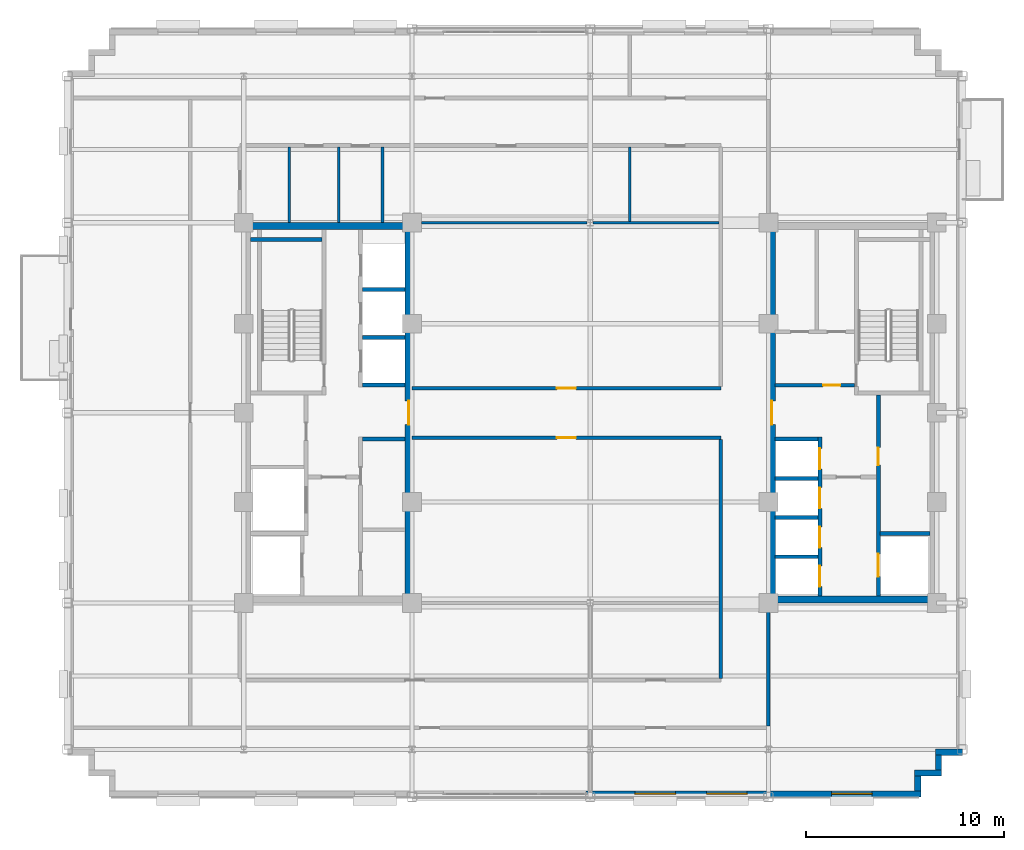
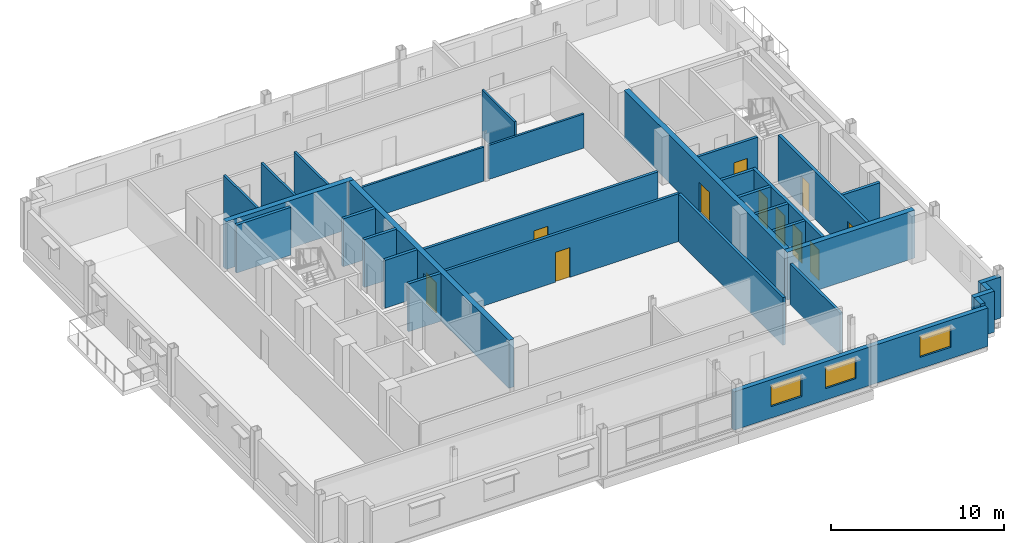
# One storey, part 7 of 15: 32 walls, 11 doors, 3 windows, 14 openings.
"""IFC4 building model written with IfcOpenShell, lengths in metres."""

from ifc_helpers import new_model, si_unit, direction, frame, frame_2d, origin, place, context, subcontext, project, spatial, rectangle, extrude, source, transform, mapped, material, layer, layer_set, type_object, type_shapes, element, fill, save


model = new_model("IFC4")

# Units and contexts
model_context = context("Model", 3, precision=1e-05, world=origin(), true_north=direction((0.0, 1.0)))
body_context = subcontext(model_context, "Body", "Model", "MODEL_VIEW")
ifc_project = project(units=[si_unit("LENGTHUNIT", "METRE"), si_unit("AREAUNIT", "SQUARE_METRE"), si_unit("VOLUMEUNIT", "CUBIC_METRE"), si_unit("PLANEANGLEUNIT", "RADIAN"), si_unit("MASSUNIT", "GRAM", prefix="KILO")], contexts=[model_context])

# Site, building, storey
site_placement = place(None, origin())
site = spatial("IfcSite", under=ifc_project, at=site_placement, CompositionType="ELEMENT")
building_placement = place(site_placement, origin())
building = spatial("IfcBuilding", under=site, at=building_placement, Name="Nuvemarco Arch Tower", CompositionType="ELEMENT")
storey_placement = place(building_placement, frame((0.0, 0.0, 223.75)))
storey = spatial("IfcBuildingStorey", under=building, at=storey_placement, Name="L59", CompositionType="ELEMENT", Elevation=223.75)

# Wall, openings, windows
ifc_material_1 = material(Name="Precast concrete C45/55", Category="concrete")
ifc_layer_1 = layer(ifc_material_1, 0.31005859375, Name="EW-UPP-310")
ifc_layer_set_1 = layer_set([ifc_layer_1], Name="Precast concrete C45/55")
wall_type_1 = type_object("IfcWallType", Name="EW-UPP-310", PredefinedType="STANDARD", material=ifc_layer_set_1)
wall_1_placement = place(storey_placement, frame((-0.199951171875, -19.2451171875, 0.0), z_axis=(0.0, 0.0, 1.0), x_axis=(1.0, 0.0, 0.0)))
wall_1 = element("IfcWall", 1, at=wall_1_placement, inside=storey, type_object=wall_type_1, Name="L59 exterior precast pier wall south right", PredefinedType="STANDARD", context=body_context, shape_type="SweptSolid", body=[
    extrude(rectangle(XDim=16.89990234375, YDim=0.31005859375, at=frame_2d((8.449951171875, 0.0))), origin(), (0.0, 0.0, 1.0), 2.705078125),
])
opening_1_placement = place(wall_1_placement, frame((2.458251953125, 0.0, 0.800048828125)))
opening_1 = element("IfcOpeningElement", 2, at=opening_1_placement, cuts=wall_1, Name="Opening WN-12", PredefinedType="OPENING", context=body_context, shape_type="SweptSolid", body=[
    extrude(rectangle(XDim=2.050048828125, YDim=1.52001953125, at=frame_2d((1.02490234375, 0.760009765625))), frame((0.0, 0.1650390625, 0.0), z_axis=(0.0, -1.0, 0.0), x_axis=(1.0, 0.0, 0.0)), (0.0, 0.0, 1.0), 0.330078125),
])
opening_2_placement = place(wall_1_placement, frame((6.074951171875, 0.0, 0.800048828125)))
opening_2 = element("IfcOpeningElement", 3, at=opening_2_placement, cuts=wall_1, Name="Opening WN-12", PredefinedType="OPENING", context=body_context, shape_type="SweptSolid", body=[
    extrude(rectangle(XDim=2.050048828125, YDim=1.52001953125, at=frame_2d((1.02490234375, 0.760009765625))), frame((0.0, 0.1650390625, 0.0), z_axis=(0.0, -1.0, 0.0), x_axis=(1.0, 0.0, 0.0)), (0.0, 0.0, 1.0), 0.330078125),
])
opening_3_placement = place(wall_1_placement, frame((12.3916015625, 0.0, 0.800048828125)))
opening_3 = element("IfcOpeningElement", 4, at=opening_3_placement, cuts=wall_1, Name="Opening WN-12", PredefinedType="OPENING", context=body_context, shape_type="SweptSolid", body=[
    extrude(rectangle(XDim=2.050048828125, YDim=1.52001953125, at=frame_2d((1.02490234375, 0.760009765625))), frame((0.0, 0.1650390625, 0.0), z_axis=(0.0, -1.0, 0.0), x_axis=(1.0, 0.0, 0.0)), (0.0, 0.0, 1.0), 0.330078125),
])
ifc_material_2 = material(Name="Insulated solar-control glass", Category="glass")
window_type = type_object("IfcWindowType", Name="WN-SET-2050x1520", PartitioningType="DOUBLE_PANEL_VERTICAL", PredefinedType="WINDOW", material=ifc_material_2)
shared_shape_1 = source(origin(), body_context, "Body", "SweptSolid", [
    extrude(rectangle(XDim=2.050048828125, YDim=1.52001953125, at=frame_2d((1.02490234375, 0.760009765625))), frame((0.0, 0.030029296875, 0.0), z_axis=(0.0, -1.0, 0.0), x_axis=(1.0, 0.0, 0.0)), (0.0, 0.0, 1.0), 0.06005859375),
])
type_shapes(window_type, [shared_shape_1])
window_1_placement = place(opening_1_placement, origin())
window_1 = element("IfcWindow", 5, at=window_1_placement, inside=storey, type_object=window_type, Name="L59 punched facade window 1", OverallHeight=1.52001953125, OverallWidth=2.050048828125, PartitioningType="SINGLE_PANEL", PredefinedType="WINDOW", context=body_context, shape_type="MappedRepresentation", body=[
    mapped(shared_shape_1, transform((0.0, 0.0, 0.0), scale=1.0)),
])
fill(opening_1, window_1)
window_2_placement = place(opening_2_placement, origin())
window_2 = element("IfcWindow", 6, at=window_2_placement, inside=storey, type_object=window_type, Name="L59 punched facade window 2", OverallHeight=1.52001953125, OverallWidth=2.050048828125, PartitioningType="SINGLE_PANEL", PredefinedType="WINDOW", context=body_context, shape_type="MappedRepresentation", body=[
    mapped(shared_shape_1, transform((0.0, 0.0, 0.0), scale=1.0)),
])
fill(opening_2, window_2)
window_3_placement = place(opening_3_placement, origin())
window_3 = element("IfcWindow", 7, at=window_3_placement, inside=storey, type_object=window_type, Name="L59 punched facade window 3", OverallHeight=1.52001953125, OverallWidth=2.050048828125, PartitioningType="SINGLE_PANEL", PredefinedType="WINDOW", context=body_context, shape_type="MappedRepresentation", body=[
    mapped(shared_shape_1, transform((0.0, 0.0, 0.0), scale=1.0)),
])
fill(opening_3, window_3)

# Walls
wall_2_placement = place(storey_placement, frame((16.544921875, -19.093994140625, 0.0), z_axis=(0.0, 0.0, 1.0), x_axis=(0.0, 1.0, 0.0)))
element("IfcWall", 8, at=wall_2_placement, inside=storey, type_object=wall_type_1, Name="L59 exterior precast facade wall 2", PredefinedType="STANDARD", context=body_context, shape_type="SweptSolid", body=[
    extrude(rectangle(XDim=0.748046875, YDim=0.31005859375, at=frame_2d((0.3740234375, 0.0))), origin(), (0.0, 0.0, 1.0), 2.89208984375),
])
wall_3_placement = place(storey_placement, frame((16.389892578125, -18.195068359375, 0.0), z_axis=(0.0, 0.0, 1.0), x_axis=(1.0, 0.0, 0.0)))
element("IfcWall", 9, at=wall_3_placement, inside=storey, type_object=wall_type_1, Name="L59 exterior precast facade wall 3", PredefinedType="STANDARD", context=body_context, shape_type="SweptSolid", body=[
    extrude(rectangle(XDim=1.360107421875, YDim=0.31005859375, at=frame_2d((0.68017578125, 0.0))), origin(), (0.0, 0.0, 1.0), 2.89208984375),
])
wall_4_placement = place(storey_placement, frame((17.594970703125, -18.0439453125, 0.0), z_axis=(0.0, 0.0, 1.0), x_axis=(0.0, 1.0, 0.0)))
element("IfcWall", 10, at=wall_4_placement, inside=storey, type_object=wall_type_1, Name="L59 exterior precast facade wall 4", PredefinedType="STANDARD", context=body_context, shape_type="SweptSolid", body=[
    extrude(rectangle(XDim=0.748046875, YDim=0.31005859375, at=frame_2d((0.3740234375, 0.0))), origin(), (0.0, 0.0, 1.0), 2.89208984375),
])
wall_5_placement = place(storey_placement, frame((17.43994140625, -17.14501953125, 0.0), z_axis=(0.0, 0.0, 1.0), x_axis=(1.0, 0.0, 0.0)))
element("IfcWall", 11, at=wall_5_placement, inside=storey, type_object=wall_type_1, Name="L59 exterior precast facade wall 5", PredefinedType="STANDARD", context=body_context, shape_type="SweptSolid", body=[
    extrude(rectangle(XDim=1.360107421875, YDim=0.31005859375, at=frame_2d((0.68017578125, 0.0))), origin(), (0.0, 0.0, 1.0), 2.89208984375),
])
ifc_material_3 = material(Name="Concrete C50/60", Category="concrete")
ifc_layer_2 = layer(ifc_material_3, 0.35009765625, Name="WL-CORE-350")
ifc_layer_set_2 = layer_set([ifc_layer_2], Name="Concrete C50/60")
wall_type_2 = type_object("IfcWallType", Name="WL-CORE-350", PredefinedType="SHEAR", material=ifc_layer_set_2)
wall_6_placement = place(storey_placement, frame((-17.5, 9.425048828125, 0.0), z_axis=(0.0, 0.0, 1.0), x_axis=(1.0, 0.0, 0.0)))
element("IfcWall", 12, at=wall_6_placement, inside=storey, type_object=wall_type_2, Name="L59 W-core shear wall N", PredefinedType="SHEAR", context=body_context, shape_type="SweptSolid", body=[
    extrude(rectangle(XDim=8.5, YDim=0.35009765625, at=frame_2d((4.25, 0.0))), origin(), (0.0, 0.0, 1.0), 3.3701171875),
])

# Wall, opening, door
wall_7_placement = place(storey_placement, frame((-9.175048828125, -9.2548828125, 0.0), z_axis=(0.0, 0.0, 1.0), x_axis=(0.0, 1.0, 0.0)))
wall_7 = element("IfcWall", 13, at=wall_7_placement, inside=storey, type_object=wall_type_2, Name="L59 W-core shear wall E", PredefinedType="SHEAR", context=body_context, shape_type="SweptSolid", body=[
    extrude(rectangle(XDim=18.509765625, YDim=0.35009765625, at=frame_2d((9.2548828125, 0.0))), origin(), (0.0, 0.0, 1.0), 3.3701171875),
])
opening_4_placement = place(wall_7_placement, frame((8.655029296875, 0.0, 0.0)))
opening_4 = element("IfcOpeningElement", 14, at=opening_4_placement, cuts=wall_7, Name="Opening FD-2", PredefinedType="OPENING", context=body_context, shape_type="SweptSolid", body=[
    extrude(rectangle(XDim=1.199951171875, YDim=2.14990234375, at=frame_2d((0.60009765625, 1.074951171875))), frame((0.0, 0.18505859375, 0.0), z_axis=(0.0, -1.0, 0.0), x_axis=(1.0, 0.0, 0.0)), (0.0, 0.0, 1.0), 0.3701171875),
])
ifc_material_4 = material(Name="Anodised steel fire door", Category="steel")
door_type_1 = type_object("IfcDoorType", Name="DR-FFLOB-FD", OperationType="NOTDEFINED", PredefinedType="DOOR", material=ifc_material_4)
shared_shape_2 = source(origin(), body_context, "Body", "SweptSolid", [
    extrude(rectangle(XDim=1.199951171875, YDim=2.14990234375, at=frame_2d((0.60009765625, 1.074951171875))), frame((0.0, 0.02490234375, 0.0), z_axis=(0.0, -1.0, 0.0), x_axis=(1.0, 0.0, 0.0)), (0.0, 0.0, 1.0), 0.050048828125),
])
type_shapes(door_type_1, [shared_shape_2])
door_1_placement = place(opening_4_placement, origin())
door_1 = element("IfcDoor", 15, at=door_1_placement, inside=storey, type_object=door_type_1, Name="L59 door FD-L59-WCORE-E", OperationType="SINGLE_SWING_RIGHT", OverallHeight=2.14990234375, OverallWidth=1.199951171875, PredefinedType="DOOR", context=body_context, shape_type="MappedRepresentation", body=[
    mapped(shared_shape_2, transform((0.0, 0.0, 0.0), scale=1.0)),
])
fill(opening_4, door_1)

# Wall
wall_8_placement = place(storey_placement, frame((9.0, -9.425048828125, 0.0), z_axis=(0.0, 0.0, 1.0), x_axis=(1.0, 0.0, 0.0)))
element("IfcWall", 16, at=wall_8_placement, inside=storey, type_object=wall_type_2, Name="L59 E-core shear wall S", PredefinedType="SHEAR", context=body_context, shape_type="SweptSolid", body=[
    extrude(rectangle(XDim=8.5, YDim=0.35009765625, at=frame_2d((4.25, 0.0))), origin(), (0.0, 0.0, 1.0), 3.3701171875),
])

# Wall, opening, door
wall_9_placement = place(storey_placement, frame((9.175048828125, -9.2548828125, 0.0), z_axis=(0.0, 0.0, 1.0), x_axis=(0.0, 1.0, 0.0)))
wall_9 = element("IfcWall", 17, at=wall_9_placement, inside=storey, type_object=wall_type_2, Name="L59 E-core shear wall W", PredefinedType="SHEAR", context=body_context, shape_type="SweptSolid", body=[
    extrude(rectangle(XDim=18.509765625, YDim=0.35009765625, at=frame_2d((9.2548828125, 0.0))), origin(), (0.0, 0.0, 1.0), 3.3701171875),
])
opening_5_placement = place(wall_9_placement, frame((8.655029296875, 0.0, 0.0)))
opening_5 = element("IfcOpeningElement", 18, at=opening_5_placement, cuts=wall_9, Name="Opening FD-2", PredefinedType="OPENING", context=body_context, shape_type="SweptSolid", body=[
    extrude(rectangle(XDim=1.199951171875, YDim=2.14990234375, at=frame_2d((0.60009765625, 1.074951171875))), frame((0.0, 0.18505859375, 0.0), z_axis=(0.0, -1.0, 0.0), x_axis=(1.0, 0.0, 0.0)), (0.0, 0.0, 1.0), 0.3701171875),
])
door_2_placement = place(opening_5_placement, origin())
door_2 = element("IfcDoor", 19, at=door_2_placement, inside=storey, type_object=door_type_1, Name="L59 door FD-L59-ECORE-W", OperationType="SINGLE_SWING_LEFT", OverallHeight=2.14990234375, OverallWidth=1.199951171875, PredefinedType="DOOR", context=body_context, shape_type="MappedRepresentation", body=[
    mapped(shared_shape_2, transform((0.0, 0.0, 0.0), scale=1.0)),
])
fill(opening_5, door_2)

ifc_material_5 = material(Name="Fire-rated gypsum drywall partition")
ifc_layer_3 = layer(ifc_material_5, 0.179931640625, Name="WL-CORR-180")
ifc_layer_set_3 = layer_set([ifc_layer_3], Name="Fire-rated gypsum drywall partition")
wall_type_3 = type_object("IfcWallType", Name="WL-CORR-180", PredefinedType="PARTITIONING", material=ifc_layer_set_3)
wall_10_placement = place(storey_placement, frame((9.344970703125, 1.39990234375, 0.0), z_axis=(0.0, 0.0, 1.0), x_axis=(1.0, 0.0, 0.0)))
wall_10 = element("IfcWall", 20, at=wall_10_placement, inside=storey, type_object=wall_type_3, Name="L59 interior wall IW-L59-EK-S", PredefinedType="PARTITIONING", context=body_context, shape_type="SweptSolid", body=[
    extrude(rectangle(XDim=4.0, YDim=0.179931640625, at=frame_2d((2.0, 0.0))), origin(), (0.0, 0.0, 1.0), 3.360107421875),
])
opening_6_placement = place(wall_10_placement, frame((2.4150390625, 0.0, 0.0)))
opening_6 = element("IfcOpeningElement", 21, at=opening_6_placement, cuts=wall_10, Name="Opening FD-4", PredefinedType="OPENING", context=body_context, shape_type="SweptSolid", body=[
    extrude(rectangle(XDim=0.8798828125, YDim=2.10009765625, at=frame_2d((0.43994140625, 1.050048828125))), frame((0.0, 0.099853515625, 0.0), z_axis=(0.0, -1.0, 0.0), x_axis=(1.0, 0.0, 0.0)), (0.0, 0.0, 1.0), 0.199951171875),
])
door_type_2 = type_object("IfcDoorType", Name="DR-RISER-FD", OperationType="NOTDEFINED", PredefinedType="DOOR", material=ifc_material_4)
shared_shape_3 = source(origin(), body_context, "Body", "SweptSolid", [
    extrude(rectangle(XDim=0.8798828125, YDim=2.10009765625, at=frame_2d((0.43994140625, 1.050048828125))), frame((0.0, 0.02490234375, 0.0), z_axis=(0.0, -1.0, 0.0), x_axis=(1.0, 0.0, 0.0)), (0.0, 0.0, 1.0), 0.050048828125),
])
type_shapes(door_type_2, [shared_shape_3])
door_3_placement = place(opening_6_placement, origin())
door_3 = element("IfcDoor", 22, at=door_3_placement, inside=storey, type_object=door_type_2, Name="L59 door FD-L59-EK3A", OperationType="SINGLE_SWING_RIGHT", OverallHeight=2.10009765625, OverallWidth=0.8798828125, PredefinedType="DOOR", context=body_context, shape_type="MappedRepresentation", body=[
    mapped(shared_shape_3, transform((0.0, 0.0, 0.0), scale=1.0)),
])
fill(opening_6, door_3)

wall_11_placement = place(storey_placement, frame((-9.0, -1.25, 0.0), z_axis=(0.0, 0.0, 1.0), x_axis=(1.0, 0.0, 0.0)))
wall_11 = element("IfcWall", 23, at=wall_11_placement, inside=storey, type_object=wall_type_3, Name="L59 interior wall IW-L59-005", PredefinedType="PARTITIONING", context=body_context, shape_type="SweptSolid", body=[
    extrude(rectangle(XDim=15.60009765625, YDim=0.179931640625, at=frame_2d((7.800048828125, 0.0))), origin(), (0.0, 0.0, 1.0), 3.360107421875),
])
opening_7_placement = place(wall_11_placement, frame((7.320068359375, 0.0, 0.0)))
opening_7 = element("IfcOpeningElement", 24, at=opening_7_placement, cuts=wall_11, Name="Opening FD-5", PredefinedType="OPENING", context=body_context, shape_type="SweptSolid", body=[
    extrude(rectangle(XDim=0.9599609375, YDim=2.10009765625, at=frame_2d((0.47998046875, 1.050048828125))), frame((0.0, 0.099853515625, 0.0), z_axis=(0.0, -1.0, 0.0), x_axis=(1.0, 0.0, 0.0)), (0.0, 0.0, 1.0), 0.199951171875),
])
ifc_material_6 = material(Name="Timber fire door", Category="wood")
door_type_3 = type_object("IfcDoorType", Name="DR-CORR-FD", OperationType="NOTDEFINED", PredefinedType="DOOR", material=ifc_material_6)
shared_shape_4 = source(origin(), body_context, "Body", "SweptSolid", [
    extrude(rectangle(XDim=0.9599609375, YDim=2.10009765625, at=frame_2d((0.47998046875, 1.050048828125))), frame((0.0, 0.02490234375, 0.0), z_axis=(0.0, -1.0, 0.0), x_axis=(1.0, 0.0, 0.0)), (0.0, 0.0, 1.0), 0.050048828125),
])
type_shapes(door_type_3, [shared_shape_4])
door_4_placement = place(opening_7_placement, origin())
door_4 = element("IfcDoor", 25, at=door_4_placement, inside=storey, type_object=door_type_3, Name="L59 door DR-L59-SKY_CS", OperationType="SINGLE_SWING_RIGHT", OverallHeight=2.10009765625, OverallWidth=0.9599609375, PredefinedType="DOOR", context=body_context, shape_type="MappedRepresentation", body=[
    mapped(shared_shape_4, transform((0.0, 0.0, 0.0), scale=1.0)),
])
fill(opening_7, door_4)

wall_12_placement = place(storey_placement, frame((-9.0, 1.25, 0.0), z_axis=(0.0, 0.0, 1.0), x_axis=(1.0, 0.0, 0.0)))
wall_12 = element("IfcWall", 26, at=wall_12_placement, inside=storey, type_object=wall_type_3, Name="L59 interior wall IW-L59-006", PredefinedType="PARTITIONING", context=body_context, shape_type="SweptSolid", body=[
    extrude(rectangle(XDim=15.60009765625, YDim=0.179931640625, at=frame_2d((7.800048828125, 0.0))), origin(), (0.0, 0.0, 1.0), 3.360107421875),
])
opening_8_placement = place(wall_12_placement, frame((7.320068359375, 0.0, 0.0)))
opening_8 = element("IfcOpeningElement", 27, at=opening_8_placement, cuts=wall_12, Name="Opening FD-5", PredefinedType="OPENING", context=body_context, shape_type="SweptSolid", body=[
    extrude(rectangle(XDim=0.9599609375, YDim=2.10009765625, at=frame_2d((0.47998046875, 1.050048828125))), frame((0.0, 0.099853515625, 0.0), z_axis=(0.0, -1.0, 0.0), x_axis=(1.0, 0.0, 0.0)), (0.0, 0.0, 1.0), 0.199951171875),
])
door_5_placement = place(opening_8_placement, origin())
door_5 = element("IfcDoor", 28, at=door_5_placement, inside=storey, type_object=door_type_3, Name="L59 door DR-L59-SKY_CN", OperationType="SINGLE_SWING_LEFT", OverallHeight=2.10009765625, OverallWidth=0.9599609375, PredefinedType="DOOR", context=body_context, shape_type="MappedRepresentation", body=[
    mapped(shared_shape_4, transform((0.0, 0.0, 0.0), scale=1.0)),
])
fill(opening_8, door_5)

# Walls
wall_13_placement = place(storey_placement, frame((6.60009765625, -13.4140625, 0.0), z_axis=(0.0, 0.0, 1.0), x_axis=(0.0, 1.0, 0.0)))
element("IfcWall", 29, at=wall_13_placement, inside=storey, type_object=wall_type_3, Name="L59 interior wall IW-L59-022", PredefinedType="PARTITIONING", context=body_context, shape_type="SweptSolid", body=[
    extrude(rectangle(XDim=12.078125, YDim=0.179931640625, at=frame_2d((6.0390625, 0.0))), origin(), (0.0, 0.0, 1.0), 3.360107421875),
])
wall_14_placement = place(storey_placement, frame((9.0, -15.81396484375, 0.0), z_axis=(0.0, 0.0, 1.0), x_axis=(0.0, 1.0, 0.0)))
element("IfcWall", 30, at=wall_14_placement, inside=storey, type_object=wall_type_3, Name="L59 interior wall IW-L59-024", PredefinedType="PARTITIONING", context=body_context, shape_type="SweptSolid", body=[
    extrude(rectangle(XDim=5.742919921875, YDim=0.179931640625, at=frame_2d((2.87158203125, 0.0))), origin(), (0.0, 0.0, 1.0), 2.89208984375),
])
ifc_material_7 = material(Name="Glazed acoustic office partition")
ifc_layer_4 = layer(ifc_material_7, 0.1298828125, Name="WL-EXEC-130")
ifc_layer_set_4 = layer_set([ifc_layer_4], Name="Glazed acoustic office partition")
wall_type_4 = type_object("IfcWallType", Name="WL-EXEC-130", PredefinedType="PARTITIONING", material=ifc_layer_set_4)
wall_15_placement = place(storey_placement, frame((2.0, 9.666015625, 0.0), z_axis=(0.0, 0.0, 1.0), x_axis=(0.0, 1.0, 0.0)))
element("IfcWall", 31, at=wall_15_placement, inside=storey, type_object=wall_type_4, Name="L59 interior wall IW-L59-020", PredefinedType="PARTITIONING", context=body_context, shape_type="SweptSolid", body=[
    extrude(rectangle(XDim=3.748046875, YDim=0.1298828125, at=frame_2d((1.8740234375, 0.0))), origin(), (0.0, 0.0, 1.0), 3.360107421875),
])
ifc_material_8 = material(Name="Gypsum plasterboard partition")
ifc_layer_5 = layer(ifc_material_8, 0.139892578125, Name="WL-ROOM-140")
ifc_layer_set_5 = layer_set([ifc_layer_5], Name="Gypsum plasterboard partition")
wall_type_5 = type_object("IfcWallType", Name="WL-ROOM-140", PredefinedType="PARTITIONING", material=ifc_layer_set_5)
wall_16_placement = place(storey_placement, frame((-8.529052734375, 9.60009765625, 0.0), z_axis=(0.0, 0.0, 1.0), x_axis=(1.0, 0.0, 0.0)))
element("IfcWall", 32, at=wall_16_placement, inside=storey, type_object=wall_type_5, Name="L59 interior wall IW-L59-007", PredefinedType="PARTITIONING", context=body_context, shape_type="SweptSolid", body=[
    extrude(rectangle(XDim=8.378173828125, YDim=0.139892578125, at=frame_2d((4.18896484375, 0.0))), origin(), (0.0, 0.0, 1.0), 2.405029296875),
])
wall_17_placement = place(storey_placement, frame((0.15087890625, 9.60009765625, 0.0), z_axis=(0.0, 0.0, 1.0), x_axis=(1.0, 0.0, 0.0)))
element("IfcWall", 33, at=wall_17_placement, inside=storey, type_object=wall_type_5, Name="L59 interior wall IW-L59-008", PredefinedType="PARTITIONING", context=body_context, shape_type="SweptSolid", body=[
    extrude(rectangle(XDim=6.363037109375, YDim=0.139892578125, at=frame_2d((3.181640625, 0.0))), origin(), (0.0, 0.0, 1.0), 2.405029296875),
])
ifc_layer_6 = layer(ifc_material_3, 0.199951171875, Name="WL-SHAFT-220")
ifc_layer_set_6 = layer_set([ifc_layer_6], Name="Concrete C50/60")
wall_type_6 = type_object("IfcWallType", Name="WL-SHAFT-220", PredefinedType="SHEAR", material=ifc_layer_set_6)
wall_18_placement = place(storey_placement, frame((-17.155029296875, 8.75, 0.0), z_axis=(0.0, 0.0, 1.0), x_axis=(1.0, 0.0, 0.0)))
element("IfcWall", 34, at=wall_18_placement, inside=storey, type_object=wall_type_6, Name="L59 structural shaft wall SW-L59-W-ST1N", PredefinedType="SHEAR", context=body_context, shape_type="SweptSolid", body=[
    extrude(rectangle(XDim=3.6201171875, YDim=0.199951171875, at=frame_2d((1.81005859375, 0.0))), origin(), (0.0, 0.0, 1.0), 3.3701171875),
])
for number, where, z_axis, x_axis, name in (
    (35, (-11.5048828125, -1.330078125, 0.0), (0.0, 0.0, 1.0), (1.0, 0.0, 0.0), "L59 structural shaft wall SW-L59-W-PLTOP"),
    (36, (-11.5048828125, 1.39990234375, 0.0), (0.0, 0.0, 1.0), (1.0, 0.0, 0.0), "L59 structural shaft wall SW-L59-W-PHD1"),
    (37, (-11.5048828125, 3.800048828125, 0.0), (0.0, 0.0, 1.0), (1.0, 0.0, 0.0), "L59 structural shaft wall SW-L59-W-PHD2"),
    (38, (-11.5048828125, 6.219970703125, 0.0), (0.0, 0.0, 1.0), (1.0, 0.0, 0.0), "L59 structural shaft wall SW-L59-W-PHD3"),
):
    element("IfcWall", number, at=place(storey_placement, frame(where, z_axis=z_axis, x_axis=x_axis)), inside=storey, type_object=wall_type_6, Name=name, PredefinedType="SHEAR", context=body_context, shape_type="SweptSolid", body=[
        extrude(rectangle(XDim=2.159912109375, YDim=0.199951171875, at=frame_2d((1.080078125, 0.0))), origin(), (0.0, 0.0, 1.0), 3.3701171875),
    ])

# Wall, openings, doors
wall_19_placement = place(storey_placement, frame((14.550048828125, -9.2548828125, 0.0), z_axis=(0.0, 0.0, 1.0), x_axis=(0.0, 1.0, 0.0)))
wall_19 = element("IfcWall", 39, at=wall_19_placement, inside=storey, type_object=wall_type_6, Name="L59 structural shaft wall SW-L59-E-SHW", PredefinedType="SHEAR", context=body_context, shape_type="SweptSolid", body=[
    extrude(rectangle(XDim=10.159912109375, YDim=0.199951171875, at=frame_2d((5.080078125, 0.0))), origin(), (0.0, 0.0, 1.0), 3.3701171875),
])
opening_9_placement = place(wall_19_placement, frame((6.614990234375, 0.0, 0.0)))
opening_9 = element("IfcOpeningElement", 40, at=opening_9_placement, cuts=wall_19, Name="Opening FD-4", PredefinedType="OPENING", context=body_context, shape_type="SweptSolid", body=[
    extrude(rectangle(XDim=0.8798828125, YDim=2.10009765625, at=frame_2d((0.43994140625, 1.050048828125))), frame((0.0, 0.10986328125, 0.0), z_axis=(0.0, -1.0, 0.0), x_axis=(1.0, 0.0, 0.0)), (0.0, 0.0, 1.0), 0.219970703125),
])
opening_10_placement = place(wall_19_placement, frame((0.97998046875, 0.0, 0.0)))
opening_10 = element("IfcOpeningElement", 41, at=opening_10_placement, cuts=wall_19, Name="Opening LD-2", PredefinedType="OPENING", context=body_context, shape_type="SweptSolid", body=[
    extrude(rectangle(XDim=1.14990234375, YDim=2.14990234375, at=frame_2d((0.574951171875, 1.074951171875))), frame((0.0, 0.10986328125, 0.0), z_axis=(0.0, -1.0, 0.0), x_axis=(1.0, 0.0, 0.0)), (0.0, 0.0, 1.0), 0.219970703125),
])
door_6_placement = place(opening_9_placement, origin())
door_6 = element("IfcDoor", 42, at=door_6_placement, inside=storey, type_object=door_type_2, Name="L59 door FD-L59-ERIS", OperationType="SINGLE_SWING_LEFT", OverallHeight=2.10009765625, OverallWidth=0.8798828125, PredefinedType="DOOR", context=body_context, shape_type="MappedRepresentation", body=[
    mapped(shared_shape_3, transform((0.0, 0.0, 0.0), scale=1.0)),
])
fill(opening_9, door_6)
ifc_material_9 = material(Name="Stainless steel lift door", Category="steel")
door_type_4 = type_object("IfcDoorType", Name="DR-LIFT-FIRE", OperationType="DOUBLE_DOOR_SLIDING", PredefinedType="DOOR", material=ifc_material_9)
shared_shape_5 = source(origin(), body_context, "Body", "SweptSolid", [
    extrude(rectangle(XDim=1.14990234375, YDim=2.14990234375, at=frame_2d((0.574951171875, 1.074951171875))), frame((0.0, 0.02490234375, 0.0), z_axis=(0.0, -1.0, 0.0), x_axis=(1.0, 0.0, 0.0)), (0.0, 0.0, 1.0), 0.050048828125),
])
type_shapes(door_type_4, [shared_shape_5])
door_7_placement = place(opening_10_placement, origin())
door_7 = element("IfcDoor", 43, at=door_7_placement, inside=storey, type_object=door_type_4, Name="L59 Lift landing sliding door FFL-2", OperationType="DOUBLE_DOOR_SLIDING", OverallHeight=2.14990234375, OverallWidth=1.14990234375, PredefinedType="DOOR", context=body_context, shape_type="MappedRepresentation", body=[
    mapped(shared_shape_5, transform((0.0, 0.0, 0.0), scale=1.0)),
])
fill(opening_10, door_7)

# Wall
wall_20_placement = place(storey_placement, frame((14.64501953125, -6.10009765625, 0.0), z_axis=(0.0, 0.0, 1.0), x_axis=(1.0, 0.0, 0.0)))
element("IfcWall", 44, at=wall_20_placement, inside=storey, type_object=wall_type_6, Name="L59 structural shaft wall SW-L59-E-SH1", PredefinedType="SHEAR", context=body_context, shape_type="SweptSolid", body=[
    extrude(rectangle(XDim=2.510009765625, YDim=0.199951171875, at=frame_2d((1.2548828125, 0.0))), origin(), (0.0, 0.0, 1.0), 3.3701171875),
])

# Wall, openings, doors
wall_21_placement = place(storey_placement, frame((11.60009765625, -9.2548828125, 0.0), z_axis=(0.0, 0.0, 1.0), x_axis=(0.0, 1.0, 0.0)))
wall_21 = element("IfcWall", 45, at=wall_21_placement, inside=storey, type_object=wall_type_6, Name="L59 structural shaft wall SW-L59-E-PME", PredefinedType="SHEAR", context=body_context, shape_type="SweptSolid", body=[
    extrude(rectangle(XDim=8.02490234375, YDim=0.199951171875, at=frame_2d((4.012451171875, 0.0))), origin(), (0.0, 0.0, 1.0), 3.3701171875),
])
opening_11_placement = place(wall_21_placement, frame((0.469970703125, 0.0, 0.0)))
opening_11 = element("IfcOpeningElement", 46, at=opening_11_placement, cuts=wall_21, Name="Opening LD-1", PredefinedType="OPENING", context=body_context, shape_type="SweptSolid", body=[
    extrude(rectangle(XDim=1.050048828125, YDim=2.14990234375, at=frame_2d((0.52490234375, 1.074951171875))), frame((0.0, 0.10986328125, 0.0), z_axis=(0.0, -1.0, 0.0), x_axis=(1.0, 0.0, 0.0)), (0.0, 0.0, 1.0), 0.219970703125),
])
opening_12_placement = place(wall_21_placement, frame((2.449951171875, 0.0, 0.0)))
opening_12 = element("IfcOpeningElement", 47, at=opening_12_placement, cuts=wall_21, Name="Opening LD-1", PredefinedType="OPENING", context=body_context, shape_type="SweptSolid", body=[
    extrude(rectangle(XDim=1.050048828125, YDim=2.14990234375, at=frame_2d((0.52490234375, 1.074951171875))), frame((0.0, 0.10986328125, 0.0), z_axis=(0.0, -1.0, 0.0), x_axis=(1.0, 0.0, 0.0)), (0.0, 0.0, 1.0), 0.219970703125),
])
opening_13_placement = place(wall_21_placement, frame((4.429931640625, 0.0, 0.0)))
opening_13 = element("IfcOpeningElement", 48, at=opening_13_placement, cuts=wall_21, Name="Opening LD-1", PredefinedType="OPENING", context=body_context, shape_type="SweptSolid", body=[
    extrude(rectangle(XDim=1.050048828125, YDim=2.14990234375, at=frame_2d((0.52490234375, 1.074951171875))), frame((0.0, 0.10986328125, 0.0), z_axis=(0.0, -1.0, 0.0), x_axis=(1.0, 0.0, 0.0)), (0.0, 0.0, 1.0), 0.219970703125),
])
opening_14_placement = place(wall_21_placement, frame((6.409912109375, 0.0, 0.0)))
opening_14 = element("IfcOpeningElement", 49, at=opening_14_placement, cuts=wall_21, Name="Opening LD-1", PredefinedType="OPENING", context=body_context, shape_type="SweptSolid", body=[
    extrude(rectangle(XDim=1.050048828125, YDim=2.14990234375, at=frame_2d((0.52490234375, 1.074951171875))), frame((0.0, 0.10986328125, 0.0), z_axis=(0.0, -1.0, 0.0), x_axis=(1.0, 0.0, 0.0)), (0.0, 0.0, 1.0), 0.219970703125),
])
door_type_5 = type_object("IfcDoorType", Name="DR-LIFT-PASS", OperationType="DOUBLE_DOOR_SLIDING", PredefinedType="DOOR", material=ifc_material_9)
shared_shape_6 = source(origin(), body_context, "Body", "SweptSolid", [
    extrude(rectangle(XDim=1.050048828125, YDim=2.14990234375, at=frame_2d((0.52490234375, 1.074951171875))), frame((0.0, 0.02490234375, 0.0), z_axis=(0.0, -1.0, 0.0), x_axis=(1.0, 0.0, 0.0)), (0.0, 0.0, 1.0), 0.050048828125),
])
type_shapes(door_type_5, [shared_shape_6])
door_8_placement = place(opening_11_placement, origin())
door_8 = element("IfcDoor", 50, at=door_8_placement, inside=storey, type_object=door_type_5, Name="L59 Lift landing sliding door PM-1", OperationType="DOUBLE_DOOR_SLIDING", OverallHeight=2.14990234375, OverallWidth=1.050048828125, PredefinedType="DOOR", context=body_context, shape_type="MappedRepresentation", body=[
    mapped(shared_shape_6, transform((0.0, 0.0, 0.0), scale=1.0)),
])
fill(opening_11, door_8)
door_9_placement = place(opening_12_placement, origin())
door_9 = element("IfcDoor", 51, at=door_9_placement, inside=storey, type_object=door_type_5, Name="L59 Lift landing sliding door PM-2", OperationType="DOUBLE_DOOR_SLIDING", OverallHeight=2.14990234375, OverallWidth=1.050048828125, PredefinedType="DOOR", context=body_context, shape_type="MappedRepresentation", body=[
    mapped(shared_shape_6, transform((0.0, 0.0, 0.0), scale=1.0)),
])
fill(opening_12, door_9)
door_10_placement = place(opening_13_placement, origin())
door_10 = element("IfcDoor", 52, at=door_10_placement, inside=storey, type_object=door_type_5, Name="L59 Lift landing sliding door PM-3", OperationType="DOUBLE_DOOR_SLIDING", OverallHeight=2.14990234375, OverallWidth=1.050048828125, PredefinedType="DOOR", context=body_context, shape_type="MappedRepresentation", body=[
    mapped(shared_shape_6, transform((0.0, 0.0, 0.0), scale=1.0)),
])
fill(opening_13, door_10)
door_11_placement = place(opening_14_placement, origin())
door_11 = element("IfcDoor", 53, at=door_11_placement, inside=storey, type_object=door_type_5, Name="L59 Lift landing sliding door PM-4", OperationType="DOUBLE_DOOR_SLIDING", OverallHeight=2.14990234375, OverallWidth=1.050048828125, PredefinedType="DOOR", context=body_context, shape_type="MappedRepresentation", body=[
    mapped(shared_shape_6, transform((0.0, 0.0, 0.0), scale=1.0)),
])
fill(opening_14, door_11)

# Walls
for number, where, z_axis, x_axis, name in (
    (54, (9.344970703125, -7.27001953125, 0.0), (0.0, 0.0, 1.0), (1.0, 0.0, 0.0), "L59 structural shaft wall SW-L59-E-PMD1"),
    (55, (9.344970703125, -5.2900390625, 0.0), (0.0, 0.0, 1.0), (1.0, 0.0, 0.0), "L59 structural shaft wall SW-L59-E-PMD2"),
    (56, (9.344970703125, -3.31005859375, 0.0), (0.0, 0.0, 1.0), (1.0, 0.0, 0.0), "L59 structural shaft wall SW-L59-E-PMD3"),
    (57, (9.344970703125, -1.330078125, 0.0), (0.0, 0.0, 1.0), (1.0, 0.0, 0.0), "L59 structural shaft wall SW-L59-E-PMD4"),
):
    element("IfcWall", number, at=place(storey_placement, frame(where, z_axis=z_axis, x_axis=x_axis)), inside=storey, type_object=wall_type_6, Name=name, PredefinedType="SHEAR", context=body_context, shape_type="SweptSolid", body=[
        extrude(rectangle(XDim=2.159912109375, YDim=0.199951171875, at=frame_2d((1.080078125, 0.0))), origin(), (0.0, 0.0, 1.0), 3.3701171875),
    ])
ifc_material_10 = material(Name="Moisture-resistant gypsum partition")
ifc_layer_7 = layer(ifc_material_10, 0.14990234375, Name="WL-WET-150")
ifc_layer_set_7 = layer_set([ifc_layer_7], Name="Moisture-resistant gypsum partition")
wall_type_7 = type_object("IfcWallType", Name="WL-WET-150", PredefinedType="PARTITIONING", material=ifc_layer_set_7)
for number, where, z_axis, x_axis, name in (
    (58, (-15.199951171875, 9.60009765625, 0.0), (0.0, 0.0, 1.0), (0.0, 1.0, 0.0), "L59 interior wall IW-L59-014"),
    (59, (-12.699951171875, 9.60009765625, 0.0), (0.0, 0.0, 1.0), (0.0, 1.0, 0.0), "L59 interior wall IW-L59-015"),
    (60, (-10.5, 9.60009765625, 0.0), (0.0, 0.0, 1.0), (0.0, 1.0, 0.0), "L59 interior wall IW-L59-016"),
):
    element("IfcWall", number, at=place(storey_placement, frame(where, z_axis=z_axis, x_axis=x_axis)), inside=storey, type_object=wall_type_7, Name=name, PredefinedType="PARTITIONING", context=body_context, shape_type="SweptSolid", body=[
        extrude(rectangle(XDim=3.81396484375, YDim=0.14990234375, at=frame_2d((1.906982421875, 0.0))), origin(), (0.0, 0.0, 1.0), 3.360107421875),
    ])

save(model, "model.ifc")
